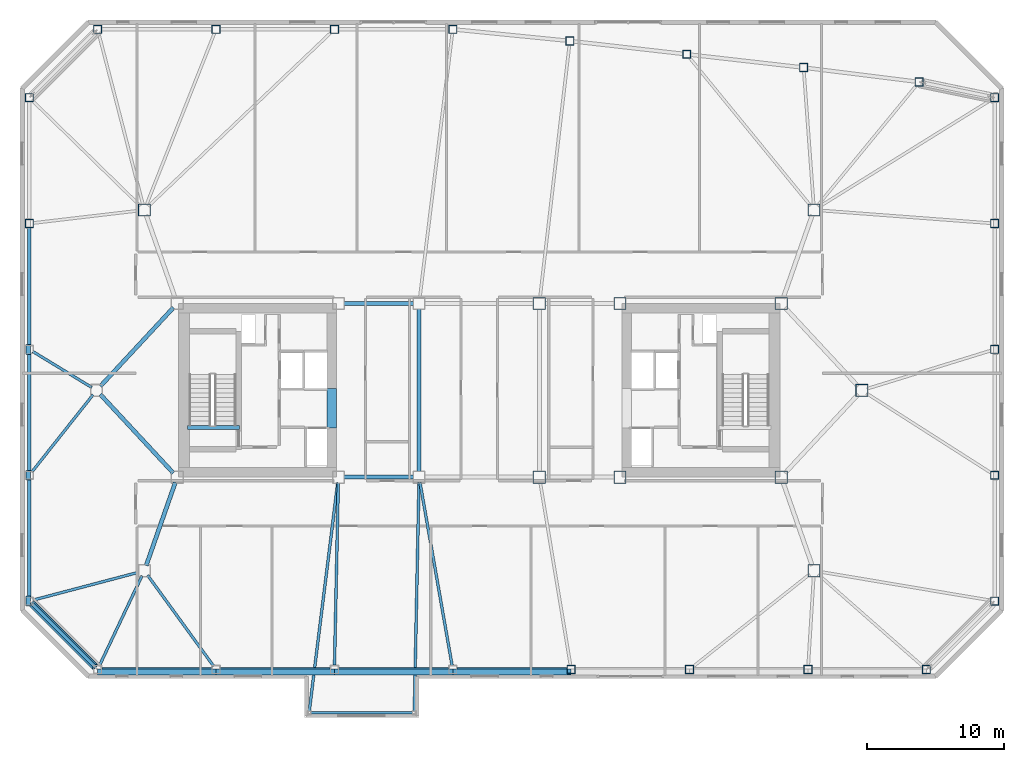
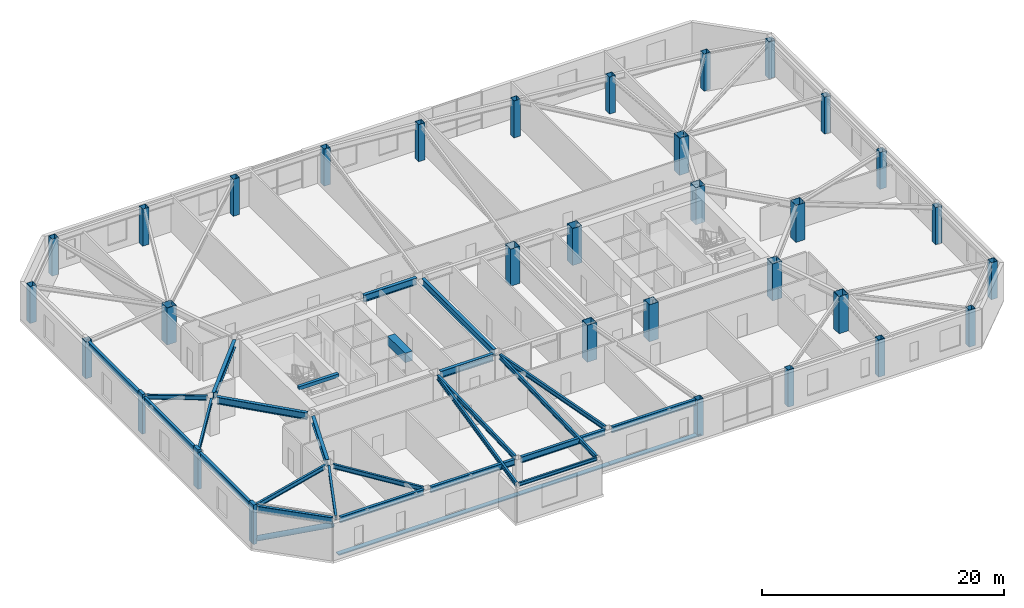
# One storey, part 2 of 16: 29 columns, 26 beams, 8 members.
"""IFC4 building model written with IfcOpenShell, lengths in metres."""

from ifc_helpers import new_model, si_unit, direction, frame, origin, origin_2d, place, context, subcontext, project, spatial, rectangle, hollow_rectangle, hollow_circle, i_section, extrude, material, material_profile, profile_set, type_object, element, save


model = new_model("IFC4")

# Units and contexts
model_context = context("Model", 3, precision=1e-05, world=origin(), true_north=direction((0.0, 1.0)))
body_context = subcontext(model_context, "Body", "Model", "MODEL_VIEW")
ifc_project = project(units=[si_unit("LENGTHUNIT", "METRE"), si_unit("AREAUNIT", "SQUARE_METRE"), si_unit("VOLUMEUNIT", "CUBIC_METRE"), si_unit("PLANEANGLEUNIT", "RADIAN"), si_unit("MASSUNIT", "GRAM", prefix="KILO")], contexts=[model_context])

# Site, building, storey
site_placement = place(None, origin())
site = spatial("IfcSite", under=ifc_project, at=site_placement, CompositionType="ELEMENT")
building_placement = place(site_placement, origin())
building = spatial("IfcBuilding", under=site, at=building_placement, Name="Tavrogorsk Clinical Tower", CompositionType="ELEMENT")
storey_placement = place(building_placement, frame((0.0, 0.0, 164.199951171875)))
storey = spatial("IfcBuildingStorey", under=building, at=storey_placement, Name="L37", CompositionType="ELEMENT", Elevation=164.199951171875)

# Columns
ifc_material_1 = material(Name="Structural steel S440", Category="steel")
ifc_material_profile_1 = material_profile(ifc_material_1, hollow_rectangle(XDim=0.89990234375, YDim=0.89990234375, WallThickness=0.0400390625, at=origin_2d()), Name="BOX-900x900x40")
ifc_profile_set_1 = profile_set([ifc_material_profile_1], Name="Structural steel S440")
column_type_1 = type_object("IfcColumnType", Name="MegaCol_BOX900", PredefinedType="COLUMN", material=ifc_profile_set_1)
for number, where, z_axis, x_axis, name in (
    (1, (10.300048828125, -6.35009765625, 0.0), (0.0, 0.0, 1.0), (1.0, 0.0, 0.0), "L37 Mega Column MC-E1"),
    (2, (10.300048828125, 6.35009765625, 0.0), (0.0, 0.0, 1.0), (1.0, 0.0, 0.0), "L37 Mega Column MC-E2"),
    (3, (22.10009765625, -6.35009765625, 0.0), (0.0, 0.0, 1.0), (1.0, 0.0, 0.0), "L37 Mega Column MC-E3"),
    (4, (22.10009765625, 6.35009765625, 0.0), (0.0, 0.0, 1.0), (1.0, 0.0, 0.0), "L37 Mega Column MC-E4"),
    (5, (4.39990234375, -6.35009765625, 0.0), (0.0, 0.0, 1.0), (1.0, 0.0, 0.0), "L37 Mega Column MC-C2"),
    (6, (4.39990234375, 6.35009765625, 0.0), (0.0, 0.0, 1.0), (1.0, 0.0, 0.0), "L37 Mega Column MC-C4"),
    (7, (24.5, -13.199951171875, 0.0), (0.0, 0.0, 1.0), (1.0, 0.0, 0.0), "L37 Spine Pilotis Column MC-P2"),
    (8, (-24.5, 13.199951171875, 0.0), (0.0, 0.0, 1.0), (1.0, 0.0, 0.0), "L37 Spine Pilotis Column MC-P3"),
    (9, (24.5, 13.199951171875, 0.0), (0.0, 0.0, 1.0), (1.0, 0.0, 0.0), "L37 Spine Pilotis Column MC-P4"),
    (10, (28.0, 0.0, 0.0), (0.0, 0.0, 1.0), (1.0, 0.0, 0.0), "L37 Spine Pilotis Column MC-P6"),
):
    element("IfcColumn", number, at=place(storey_placement, frame(where, z_axis=z_axis, x_axis=x_axis)), inside=storey, type_object=column_type_1, Name=name, PredefinedType="COLUMN", context=body_context, shape_type="SweptSolid", body=[
        extrude(hollow_rectangle(XDim=0.89990234375, YDim=0.89990234375, WallThickness=0.0400390625, at=origin_2d()), origin(), (0.0, 0.0, 1.0), 3.739990234375),
    ])
ifc_material_2 = material(Name="Structural steel S440", Category="steel")
ifc_material_profile_2 = material_profile(ifc_material_2, hollow_rectangle(XDim=0.60009765625, YDim=0.60009765625, WallThickness=0.028076171875, at=origin_2d()), Name="BOX-600x600x28")
ifc_profile_set_2 = profile_set([ifc_material_profile_2], Name="Structural steel S440")
column_type_2 = type_object("IfcColumnType", Name="PerimCol_B3_BOX600", PredefinedType="COLUMN", material=ifc_profile_set_2)
for number, where, z_axis, x_axis, name in (
    (11, (6.7314453125, -20.419921875, 0.0), (0.0, 0.0, 1.0), (1.0, 0.0, 0.0), "L37 Perimeter Column S5"),
    (12, (15.394287109375, -20.419921875, 0.0), (0.0, 0.0, 1.0), (1.0, 0.0, 0.0), "L37 Perimeter Column S6"),
    (13, (24.05712890625, -20.419921875, 0.0), (0.0, 0.0, 1.0), (1.0, 0.0, 0.0), "L37 Perimeter Column S7"),
    (14, (32.719970703125, -20.419921875, 0.0), (0.0, 0.0, 1.0), (1.0, 0.0, 0.0), "L37 Perimeter Column S8"),
    (15, (32.19140625, 22.56591796875, 0.0), (0.0, 0.0, 1.0), (1.0, 0.0, 0.0), "L37 Perimeter Column N1"),
    (16, (23.73779296875, 23.617919921875, 0.0), (0.0, 0.0, 1.0), (1.0, 0.0, 0.0), "L37 Perimeter Column N2"),
    (17, (15.18603515625, 24.59228515625, 0.0), (0.0, 0.0, 1.0), (1.0, 0.0, 0.0), "L37 Perimeter Column N3"),
    (18, (6.63427734375, 25.566650390625, 0.0), (0.0, 0.0, 1.0), (1.0, 0.0, 0.0), "L37 Perimeter Column N4"),
    (19, (-1.931396484375, 26.419921875, 0.0), (0.0, 0.0, 1.0), (1.0, 0.0, 0.0), "L37 Perimeter Column N5"),
    (20, (-10.59423828125, 26.419921875, 0.0), (0.0, 0.0, 1.0), (1.0, 0.0, 0.0), "L37 Perimeter Column N6"),
    (21, (-19.257080078125, 26.419921875, 0.0), (0.0, 0.0, 1.0), (1.0, 0.0, 0.0), "L37 Perimeter Column N7"),
    (22, (-27.919921875, 26.419921875, 0.0), (0.0, 0.0, 1.0), (1.0, 0.0, 0.0), "L37 Perimeter Column N8"),
    (23, (37.719970703125, -15.419921875, 0.0), (0.0, 0.0, 1.0), (1.0, 0.0, 0.0), "L37 Perimeter Column E1"),
    (24, (37.719970703125, -6.2099609375, 0.0), (0.0, 0.0, 1.0), (1.0, 0.0, 0.0), "L37 Perimeter Column E2"),
    (25, (37.719970703125, 3.0, 0.0), (0.0, 0.0, 1.0), (1.0, 0.0, 0.0), "L37 Perimeter Column E3"),
    (26, (37.719970703125, 12.2099609375, 0.0), (0.0, 0.0, 1.0), (1.0, 0.0, 0.0), "L37 Perimeter Column E4"),
    (27, (37.719970703125, 21.419921875, 0.0), (0.0, 0.0, 1.0), (1.0, 0.0, 0.0), "L37 Perimeter Column E5"),
    (28, (-32.919921875, 21.419921875, 0.0), (0.0, 0.0, 1.0), (1.0, 0.0, 0.0), "L37 Perimeter Column W1"),
    (29, (-32.919921875, 12.2099609375, 0.0), (0.0, 0.0, 1.0), (1.0, 0.0, 0.0), "L37 Perimeter Column W2"),
):
    element("IfcColumn", number, at=place(storey_placement, frame(where, z_axis=z_axis, x_axis=x_axis)), inside=storey, type_object=column_type_2, Name=name, PredefinedType="COLUMN", context=body_context, shape_type="SweptSolid", body=[
        extrude(hollow_rectangle(XDim=0.60009765625, YDim=0.60009765625, WallThickness=0.028076171875, at=origin_2d()), origin(), (0.0, 0.0, 1.0), 3.739990234375),
    ])

# Members
ifc_material_3 = material(Name="Anodised aluminium alloy AW-6063", Category="aluminium")
ifc_material_profile_3 = material_profile(ifc_material_3, rectangle(XDim=0.449951171875, YDim=0.1201171875, at=origin_2d()), Name="ALU-SUNSHADE-450x120")
ifc_profile_set_3 = profile_set([ifc_material_profile_3], Name="Anodised aluminium alloy AW-6063")
member_type_1 = type_object("IfcMemberType", Name="ChicagoSunshade_450x120", PredefinedType="USERDEFINED", material=ifc_profile_set_3)
for number, where, z_axis, x_axis, name in (
    (30, (-27.919921875, -20.60009765625, 0.179931640625), (1.0, 0.0, 0.0), (0.0, 1.0, 0.0), "L37 South Aluminium Sunshade S1"),
    (31, (-19.257080078125, -20.60009765625, 0.179931640625), (1.0, 0.0, 0.0), (0.0, 1.0, 0.0), "L37 South Aluminium Sunshade S2"),
    (32, (-10.59423828125, -20.60009765625, 0.179931640625), (1.0, 0.0, 0.0), (0.0, 1.0, 0.0), "L37 South Aluminium Sunshade S3"),
    (33, (-1.931396484375, -20.60009765625, 0.179931640625), (1.0, 0.0, 0.0), (0.0, 1.0, 0.0), "L37 South Aluminium Sunshade S4"),
):
    element("IfcMember", number, at=place(storey_placement, frame(where, z_axis=z_axis, x_axis=x_axis)), inside=storey, type_object=member_type_1, Name=name, ObjectType="SUNSHADE", PredefinedType="USERDEFINED", context=body_context, shape_type="SweptSolid", body=[
        extrude(rectangle(XDim=0.449951171875, YDim=0.1201171875, at=origin_2d()), origin(), (0.0, 0.0, 1.0), 8.662841796875),
    ])

# Beam
ifc_material_4 = material(Name="Concrete B80", Category="concrete")
ifc_material_profile_4 = material_profile(ifc_material_4, rectangle(XDim=0.699951171875, YDim=0.949951171875, at=origin_2d()), Name="RC-CB-700x950")
ifc_profile_set_4 = profile_set([ifc_material_profile_4], Name="Concrete B80")
beam_type_1 = type_object("IfcBeamType", Name="CouplingBeam_RC700x950", PredefinedType="LINTEL", material=ifc_profile_set_4)
beam_1_placement = place(storey_placement, frame((-10.800048828125, -2.75, 3.26513671875), z_axis=(0.0, 1.0, 0.0), x_axis=(-1.0, 0.0, 0.0)))
element("IfcBeam", 34, at=beam_1_placement, inside=storey, type_object=beam_type_1, Name="L37 Core West Coupling Beam", PredefinedType="LINTEL", context=body_context, shape_type="SweptSolid", body=[
    extrude(rectangle(XDim=0.699951171875, YDim=0.949951171875, at=origin_2d()), origin(), (0.0, 0.0, 1.0), 2.89990234375),
])

# Member
ifc_material_5 = material(Name="Structural steel S440", Category="steel")
ifc_material_profile_5 = material_profile(ifc_material_5, hollow_circle(Radius=0.25390625, WallThickness=0.02001953125, at=origin_2d()), Name="CHS-508x20")
ifc_profile_set_5 = profile_set([ifc_material_profile_5], Name="Structural steel S440")
member_type_2 = type_object("IfcMemberType", Name="ExoBrace_CHS508", PredefinedType="BRACE", material=ifc_profile_set_5)
member_placement = place(storey_placement, frame((-32.717529296875, -15.62255859375, 0.4130859375), z_axis=(0.657758524103, -0.657758524103, 0.367025132572), x_axis=(0.707106781187, 0.707106781187, 0.0)))
element("IfcMember", 35, at=member_placement, inside=storey, type_object=member_type_2, Name="L37 Corner Exoskeleton Brace W5-S1", PredefinedType="BRACE", context=body_context, shape_type="SweptSolid", body=[
    extrude(hollow_circle(Radius=0.25390625, WallThickness=0.02001953125, at=origin_2d()), origin(), (0.0, 0.0, 1.0), 6.98583984375),
])

# Beams
ifc_material_6 = material(Name="Structural steel S355", Category="steel")
ifc_material_profile_6 = material_profile(ifc_material_6, i_section(OverallWidth=0.199951171875, OverallDepth=0.449951171875, WebThickness=0.011474609375, FlangeThickness=0.01806640625, at=origin_2d()), Name="B-450x200x11.5x18")
ifc_profile_set_6 = profile_set([ifc_material_profile_6], Name="Structural steel S355")
beam_type_2 = type_object("IfcBeamType", Name="FloorBeam_B450", PredefinedType="BEAM", material=ifc_profile_set_6)
beam_2_placement = place(storey_placement, frame((-24.675537109375, -13.570556640625, 3.51513671875), z_axis=(-0.42808057121, -0.903740573701, 0.0), x_axis=(0.903740573701, -0.42808057121, 0.0)))
element("IfcBeam", 36, at=beam_2_placement, inside=storey, type_object=beam_type_2, Name="L37 Radial Floor Beam S1", PredefinedType="BEAM", context=body_context, shape_type="SweptSolid", body=[
    extrude(i_section(OverallWidth=0.199951171875, OverallDepth=0.449951171875, WebThickness=0.011474609375, FlangeThickness=0.01806640625, at=origin_2d()), origin(), (0.0, 0.0, 1.0), 7.27099609375),
])
beam_3_placement = place(storey_placement, frame((-24.259033203125, -13.53173828125, 3.51513671875), z_axis=(0.587578845372, -0.809166917559, 0.0), x_axis=(0.809166917559, 0.587578845372, 0.0)))
element("IfcBeam", 37, at=beam_3_placement, inside=storey, type_object=beam_type_2, Name="L37 Radial Floor Beam S2", PredefinedType="BEAM", context=body_context, shape_type="SweptSolid", body=[
    extrude(i_section(OverallWidth=0.199951171875, OverallDepth=0.449951171875, WebThickness=0.011474609375, FlangeThickness=0.01806640625, at=origin_2d()), origin(), (0.0, 0.0, 1.0), 8.204833984375),
])
beam_4_placement = place(storey_placement, frame((-10.30859375, -6.760009765625, 3.51513671875), z_axis=(-0.020913325994, -0.999781292481, 0.0), x_axis=(0.999781292481, -0.020913325994, 0.0)))
element("IfcBeam", 38, at=beam_4_placement, inside=storey, type_object=beam_type_2, Name="L37 Radial Floor Beam S3", PredefinedType="BEAM", context=body_context, shape_type="SweptSolid", body=[
    extrude(i_section(OverallWidth=0.199951171875, OverallDepth=0.449951171875, WebThickness=0.011474609375, FlangeThickness=0.01806640625, at=origin_2d()), origin(), (0.0, 0.0, 1.0), 13.35498046875),
])
beam_5_placement = place(storey_placement, frame((-4.3291015625, -6.75390625, 3.51513671875), z_axis=(0.172808972689, -0.984955358866, 0.0), x_axis=(0.984955358866, 0.172808972689, 0.0)))
element("IfcBeam", 39, at=beam_5_placement, inside=storey, type_object=beam_type_2, Name="L37 Radial Floor Beam S4", PredefinedType="BEAM", context=body_context, shape_type="SweptSolid", body=[
    extrude(i_section(OverallWidth=0.199951171875, OverallDepth=0.449951171875, WebThickness=0.011474609375, FlangeThickness=0.01806640625, at=origin_2d()), origin(), (0.0, 0.0, 1.0), 13.56689453125),
])
beam_6_placement = place(storey_placement, frame((-28.35009765625, 0.21337890625, 3.51513671875), z_axis=(-0.853789879369, 0.520617750262, 0.0), x_axis=(-0.520617750262, -0.853789879369, 0.0)))
element("IfcBeam", 40, at=beam_6_placement, inside=storey, type_object=beam_type_2, Name="L37 Radial Floor Beam W3", PredefinedType="BEAM", context=body_context, shape_type="SweptSolid", body=[
    extrude(i_section(OverallWidth=0.199951171875, OverallDepth=0.449951171875, WebThickness=0.011474609375, FlangeThickness=0.01806640625, at=origin_2d()), origin(), (0.0, 0.0, 1.0), 5.04443359375),
])
beam_7_placement = place(storey_placement, frame((-28.254638671875, -0.3212890625, 3.51513671875), z_axis=(-0.620993662543, -0.783815584868, 0.0), x_axis=(0.783815584868, -0.620993662543, 0.0)))
element("IfcBeam", 41, at=beam_7_placement, inside=storey, type_object=beam_type_2, Name="L37 Radial Floor Beam W4", PredefinedType="BEAM", context=body_context, shape_type="SweptSolid", body=[
    extrude(i_section(OverallWidth=0.199951171875, OverallDepth=0.449951171875, WebThickness=0.011474609375, FlangeThickness=0.01806640625, at=origin_2d()), origin(), (0.0, 0.0, 1.0), 7.204833984375),
])
beam_8_placement = place(storey_placement, frame((-24.896484375, -13.304443359375, 3.51513671875), z_axis=(-0.966949342117, -0.254968566257, 0.0), x_axis=(0.254968566257, -0.966949342117, 0.0)))
element("IfcBeam", 42, at=beam_8_placement, inside=storey, type_object=beam_type_2, Name="L37 Radial Floor Beam W5", PredefinedType="BEAM", context=body_context, shape_type="SweptSolid", body=[
    extrude(i_section(OverallWidth=0.199951171875, OverallDepth=0.449951171875, WebThickness=0.011474609375, FlangeThickness=0.01806640625, at=origin_2d()), origin(), (0.0, 0.0, 1.0), 7.98974609375),
])
beam_9_placement = place(storey_placement, frame((-10.350830078125, -6.7568359375, 3.51513671875), z_axis=(-0.123668799225, -0.992323550108, 0.0), x_axis=(0.992323550108, -0.123668799225, 0.0)))
element("IfcBeam", 43, at=beam_9_placement, inside=storey, type_object=beam_type_2, Name="L37 Day-Room Cantilever Beam DRB-05-L", PredefinedType="BEAM", context=body_context, shape_type="SweptSolid", body=[
    extrude(i_section(OverallWidth=0.199951171875, OverallDepth=0.449951171875, WebThickness=0.011474609375, FlangeThickness=0.01806640625, at=origin_2d()), origin(), (0.0, 0.0, 1.0), 16.83349609375),
])
beam_10_placement = place(storey_placement, frame((-4.408203125, -6.760009765625, 3.51513671875), z_axis=(-0.020287331506, -0.999794190911, 0.0), x_axis=(0.999794190911, -0.020287331506, 0.0)))
element("IfcBeam", 44, at=beam_10_placement, inside=storey, type_object=beam_type_2, Name="L37 Day-Room Cantilever Beam DRB-05-R", PredefinedType="BEAM", context=body_context, shape_type="SweptSolid", body=[
    extrude(i_section(OverallWidth=0.199951171875, OverallDepth=0.449951171875, WebThickness=0.011474609375, FlangeThickness=0.01806640625, at=origin_2d()), origin(), (0.0, 0.0, 1.0), 16.703369140625),
])

# Members
ifc_material_7 = material(Name="Precast concrete B45 with limestone cladding", Category="masonry")
ifc_material_profile_7 = material_profile(ifc_material_7, rectangle(XDim=0.320068359375, YDim=0.719970703125, at=origin_2d()), Name="LIMESTONE-FIN-320x720")
ifc_profile_set_7 = profile_set([ifc_material_profile_7], Name="Precast concrete B45 with limestone cladding")
member_type_3 = type_object("IfcMemberType", Name="LimestonePleatFin_320x720", PredefinedType="USERDEFINED", material=ifc_profile_set_7)
for number, where, z_axis, x_axis, name in (
    (45, (-33.0, 3.0, 0.0), (0.0, 0.0, 1.0), (1.0, 0.0, 0.0), "L37 W Pleated Stone Fin 2"),
    (46, (-33.0, -6.2099609375, 0.0), (0.0, 0.0, 1.0), (1.0, 0.0, 0.0), "L37 W Pleated Stone Fin 3"),
    (47, (-33.0, -15.419921875, 0.0), (0.0, 0.0, 1.0), (1.0, 0.0, 0.0), "L37 W Pleated Stone Fin 4"),
):
    element("IfcMember", number, at=place(storey_placement, frame(where, z_axis=z_axis, x_axis=x_axis)), inside=storey, type_object=member_type_3, Name=name, ObjectType="FIN", PredefinedType="USERDEFINED", context=body_context, shape_type="SweptSolid", body=[
        extrude(rectangle(XDim=0.320068359375, YDim=0.719970703125, at=origin_2d()), origin(), (0.0, 0.0, 1.0), 4.0),
    ])

# Beams
ifc_material_8 = material(Name="Structural steel S390", Category="steel")
ifc_material_profile_8 = material_profile(ifc_material_8, i_section(OverallWidth=0.300048828125, OverallDepth=0.699951171875, WebThickness=0.01708984375, FlangeThickness=0.028076171875, at=origin_2d()), Name="B-700x300x17x28")
ifc_profile_set_8 = profile_set([ifc_material_profile_8], Name="Structural steel S390")
beam_type_3 = type_object("IfcBeamType", Name="PrimaryGirder_B700", PredefinedType="USERDEFINED", material=ifc_profile_set_8)
for number, where, z_axis, x_axis, name in (
    (48, (-9.889892578125, -6.35009765625, 3.39013671875), (1.0, 0.0, 0.0), (0.0, 1.0, 0.0), "L37 Primary Spine Girder MG-01"),
    (49, (-9.889892578125, 6.35009765625, 3.39013671875), (1.0, 0.0, 0.0), (0.0, 1.0, 0.0), "L37 Primary Spine Girder MG-02"),
):
    element("IfcBeam", number, at=place(storey_placement, frame(where, z_axis=z_axis, x_axis=x_axis)), inside=storey, type_object=beam_type_3, Name=name, ObjectType="GIRDER", PredefinedType="USERDEFINED", context=body_context, shape_type="SweptSolid", body=[
        extrude(i_section(OverallWidth=0.300048828125, OverallDepth=0.699951171875, WebThickness=0.01708984375, FlangeThickness=0.028076171875, at=origin_2d()), origin(), (0.0, 0.0, 1.0), 5.079833984375),
    ])
beam_11_placement = place(storey_placement, frame((-4.39990234375, -5.93994140625, 3.39013671875), z_axis=(0.0, 1.0, 0.0), x_axis=(-1.0, 0.0, 0.0)))
element("IfcBeam", 50, at=beam_11_placement, inside=storey, type_object=beam_type_3, Name="L37 Primary Spine Girder MG-07", ObjectType="GIRDER", PredefinedType="USERDEFINED", context=body_context, shape_type="SweptSolid", body=[
    extrude(i_section(OverallWidth=0.300048828125, OverallDepth=0.699951171875, WebThickness=0.01708984375, FlangeThickness=0.028076171875, at=origin_2d()), origin(), (0.0, 0.0, 1.0), 11.8798828125),
])
beam_12_placement = place(storey_placement, frame((-24.364501953125, -12.81298828125, 3.39013671875), z_axis=(0.330673031392, 0.94374538214, 0.0), x_axis=(-0.94374538214, 0.330673031392, 0.0)))
element("IfcBeam", 51, at=beam_12_placement, inside=storey, type_object=beam_type_3, Name="L37 Spine Link Girder OPG-1", ObjectType="GIRDER", PredefinedType="USERDEFINED", context=body_context, shape_type="SweptSolid", body=[
    extrude(i_section(OverallWidth=0.300048828125, OverallDepth=0.699951171875, WebThickness=0.01708984375, FlangeThickness=0.028076171875, at=origin_2d()), origin(), (0.0, 0.0, 1.0), 6.43798828125),
])
for number, where, z_axis, x_axis, name in (
    (52, (-27.720947265625, -0.30029296875, 3.39013671875), (0.680669430215, -0.732590695253, 0.0), (0.732590695253, 0.680669430215, 0.0), "L37 Spine Link Girder OPG-5"),
    (53, (-27.720947265625, 0.30029296875, 3.39013671875), (0.680669430215, 0.732590695253, 0.0), (-0.732590695253, 0.680669430215, 0.0), "L37 Spine Link Girder OPG-6"),
):
    element("IfcBeam", number, at=place(storey_placement, frame(where, z_axis=z_axis, x_axis=x_axis)), inside=storey, type_object=beam_type_3, Name=name, ObjectType="GIRDER", PredefinedType="USERDEFINED", context=body_context, shape_type="SweptSolid", body=[
        extrude(i_section(OverallWidth=0.300048828125, OverallDepth=0.699951171875, WebThickness=0.01708984375, FlangeThickness=0.028076171875, at=origin_2d()), origin(), (0.0, 0.0, 1.0), 7.847900390625),
    ])
ifc_material_9 = material(Name="Structural steel S355", Category="steel")
ifc_material_profile_9 = material_profile(ifc_material_9, i_section(OverallWidth=0.175048828125, OverallDepth=0.35009765625, WebThickness=0.009521484375, FlangeThickness=0.013916015625, at=origin_2d()), Name="B-350x175x9.5x14")
ifc_profile_set_9 = profile_set([ifc_material_profile_9], Name="Structural steel S355")
beam_type_4 = type_object("IfcBeamType", Name="SecondaryJoist_B350", PredefinedType="JOIST", material=ifc_profile_set_9)
beam_13_placement = place(storey_placement, frame((-12.330078125, -23.60009765625, 3.56494140625), z_axis=(1.0, 0.0, 0.0), x_axis=(0.0, 1.0, 0.0)))
element("IfcBeam", 54, at=beam_13_placement, inside=storey, type_object=beam_type_4, Name="L37 Day-Room Front Edge Beam DRB-05", PredefinedType="JOIST", context=body_context, shape_type="SweptSolid", body=[
    extrude(i_section(OverallWidth=0.175048828125, OverallDepth=0.35009765625, WebThickness=0.009521484375, FlangeThickness=0.013916015625, at=origin_2d()), origin(), (0.0, 0.0, 1.0), 7.4599609375),
])
ifc_material_10 = material(Name="Structural steel S390", Category="steel")
ifc_material_profile_10 = material_profile(ifc_material_10, i_section(OverallWidth=0.260009765625, OverallDepth=0.60009765625, WebThickness=0.014892578125, FlangeThickness=0.02392578125, at=origin_2d()), Name="B-600x260x15x24")
ifc_profile_set_10 = profile_set([ifc_material_profile_10], Name="Structural steel S390")
beam_type_5 = type_object("IfcBeamType", Name="SpandrelBeam_B600", PredefinedType="SPANDREL", material=ifc_profile_set_10)
for number, where, z_axis, x_axis, name in (
    (55, (-27.612060546875, -20.419921875, 3.43994140625), (1.0, 0.0, 0.0), (0.0, 1.0, 0.0), "L37 Perimeter Spandrel S1-S2"),
    (56, (-18.94921875, -20.419921875, 3.43994140625), (1.0, 0.0, 0.0), (0.0, 1.0, 0.0), "L37 Perimeter Spandrel S2-S3"),
    (57, (-10.286376953125, -20.419921875, 3.43994140625), (1.0, 0.0, 0.0), (0.0, 1.0, 0.0), "L37 Perimeter Spandrel S3-S4"),
):
    element("IfcBeam", number, at=place(storey_placement, frame(where, z_axis=z_axis, x_axis=x_axis)), inside=storey, type_object=beam_type_5, Name=name, PredefinedType="SPANDREL", context=body_context, shape_type="SweptSolid", body=[
        extrude(i_section(OverallWidth=0.260009765625, OverallDepth=0.60009765625, WebThickness=0.014892578125, FlangeThickness=0.02392578125, at=origin_2d()), origin(), (0.0, 0.0, 1.0), 8.046875),
    ])
beam_14_placement = place(storey_placement, frame((-1.623291015625, -20.419921875, 3.43994140625), z_axis=(1.0, 0.0, 0.0), x_axis=(0.0, 1.0, 0.0)))
element("IfcBeam", 58, at=beam_14_placement, inside=storey, type_object=beam_type_5, Name="L37 Perimeter Spandrel S4-S5", PredefinedType="SPANDREL", context=body_context, shape_type="SweptSolid", body=[
    extrude(i_section(OverallWidth=0.260009765625, OverallDepth=0.60009765625, WebThickness=0.014892578125, FlangeThickness=0.02392578125, at=origin_2d()), origin(), (0.0, 0.0, 1.0), 8.046630859375),
])
for number, where, z_axis, x_axis, name in (
    (59, (-32.919921875, 11.902099609375, 3.43994140625), (0.0, -1.0, 0.0), (1.0, 0.0, 0.0), "L37 Perimeter Spandrel W2-W3"),
    (60, (-32.919921875, 2.69189453125, 3.43994140625), (0.0, -1.0, 0.0), (1.0, 0.0, 0.0), "L37 Perimeter Spandrel W3-W4"),
    (61, (-32.919921875, -6.51806640625, 3.43994140625), (0.0, -1.0, 0.0), (1.0, 0.0, 0.0), "L37 Perimeter Spandrel W4-W5"),
):
    element("IfcBeam", number, at=place(storey_placement, frame(where, z_axis=z_axis, x_axis=x_axis)), inside=storey, type_object=beam_type_5, Name=name, PredefinedType="SPANDREL", context=body_context, shape_type="SweptSolid", body=[
        extrude(i_section(OverallWidth=0.260009765625, OverallDepth=0.60009765625, WebThickness=0.014892578125, FlangeThickness=0.02392578125, at=origin_2d()), origin(), (0.0, 0.0, 1.0), 8.593994140625),
    ])
beam_15_placement = place(storey_placement, frame((-32.7021484375, -15.6376953125, 3.43994140625), z_axis=(0.707106781187, -0.707106781187, 0.0), x_axis=(0.707106781187, 0.707106781187, 0.0)))
element("IfcBeam", 62, at=beam_15_placement, inside=storey, type_object=beam_type_5, Name="L37 Perimeter Spandrel W5-S1", PredefinedType="SPANDREL", context=body_context, shape_type="SweptSolid", body=[
    extrude(i_section(OverallWidth=0.260009765625, OverallDepth=0.60009765625, WebThickness=0.014892578125, FlangeThickness=0.02392578125, at=origin_2d()), origin(), (0.0, 0.0, 1.0), 6.455078125),
])
ifc_material_11 = material(Name="Concrete B60", Category="concrete")
ifc_material_profile_11 = material_profile(ifc_material_11, rectangle(XDim=0.300048828125, YDim=0.35009765625, at=origin_2d()), Name="RC-SHB-300x350")
ifc_profile_set_11 = profile_set([ifc_material_profile_11], Name="Concrete B60")
beam_type_6 = type_object("IfcBeamType", Name="StairHeaderBeam_RC300x350", PredefinedType="BEAM", material=ifc_profile_set_11)
beam_16_placement = place(storey_placement, frame((-21.35009765625, -2.719970703125, 3.824951171875), z_axis=(1.0, 0.0, 0.0), x_axis=(0.0, 1.0, 0.0)))
element("IfcBeam", 63, at=beam_16_placement, inside=storey, type_object=beam_type_6, Name="L38 ST-W Landing Header Beam", PredefinedType="BEAM", context=body_context, shape_type="SweptSolid", body=[
    extrude(rectangle(XDim=0.300048828125, YDim=0.35009765625, at=origin_2d()), origin(), (0.0, 0.0, 1.0), 3.800048828125),
])

save(model, "model.ifc")
